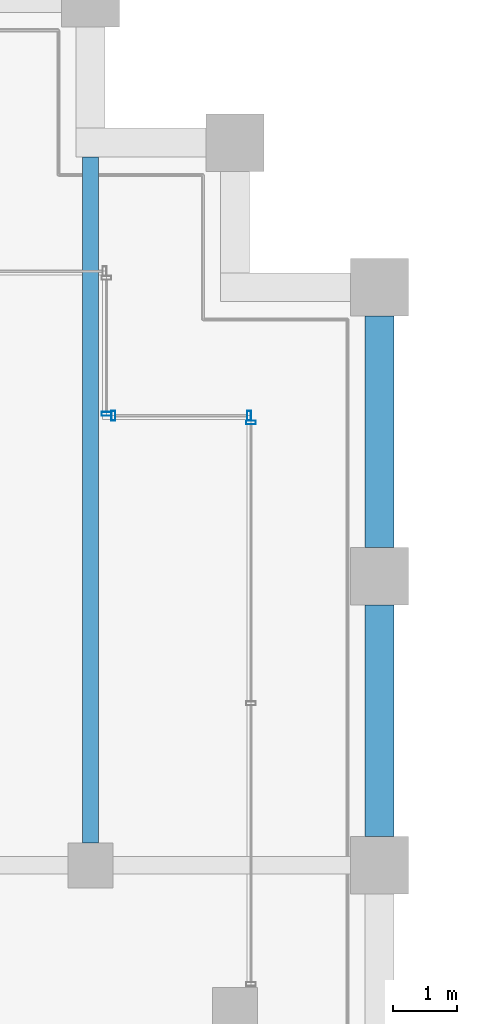
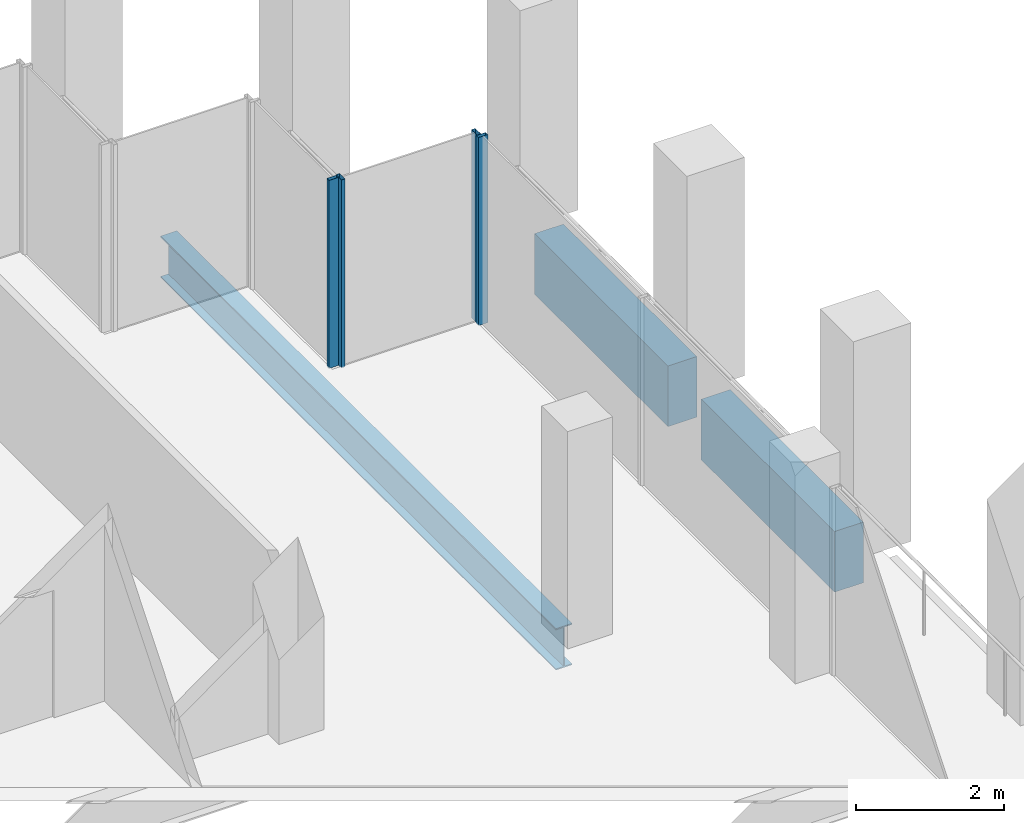
# One storey, part 25 of 40: 4 members, 3 beams, 3 elements without a shape of their own.
"""IFC4 building model written with IfcOpenShell, lengths in metres."""

from ifc_helpers import new_model, si_unit, direction, frame, origin, origin_2d, place, context, subcontext, project, spatial, rectangle, hollow_rectangle, i_section, extrude, material, material_profile, profile_set, type_object, element, aggregate, save


model = new_model("IFC4")

# Units and contexts
model_context = context("Model", 3, precision=1e-05, world=origin(), true_north=direction((0.0, 1.0)))
body_context = subcontext(model_context, "Body", "Model", "MODEL_VIEW")
ifc_project = project(units=[si_unit("LENGTHUNIT", "METRE"), si_unit("AREAUNIT", "SQUARE_METRE"), si_unit("VOLUMEUNIT", "CUBIC_METRE"), si_unit("PLANEANGLEUNIT", "RADIAN"), si_unit("MASSUNIT", "GRAM", prefix="KILO")], contexts=[model_context])

# Site, building, storey
site_placement = place(None, origin())
site = spatial("IfcSite", under=ifc_project, at=site_placement, CompositionType="ELEMENT")
building_placement = place(site_placement, origin())
building = spatial("IfcBuilding", under=site, at=building_placement, Name="Altepetl Exchange Towers", CompositionType="ELEMENT")
storey_placement = place(building_placement, frame((0.0, 0.0, 187.0)))
storey = spatial("IfcBuildingStorey", under=building, at=storey_placement, Name="L47", CompositionType="ELEMENT", Elevation=187.0)

# Beam
ifc_material_1 = material(Name="Steel S355", Category="steel")
ifc_material_profile_1 = material_profile(ifc_material_1, i_section(OverallWidth=0.25390625, OverallDepth=0.68408203125, WebThickness=0.012451171875, FlangeThickness=0.018798828125, at=origin_2d()), Name="W27X94")
ifc_profile_set_1 = profile_set([ifc_material_profile_1], Name="Steel S355")
beam_type_1 = type_object("IfcBeamType", Name="Floor beam W27X94", PredefinedType="BEAM", material=ifc_profile_set_1)
beam_placement = place(storey_placement, frame((67.5, 58.85009765625, -0.491943359375), z_axis=(0.0, 1.0, 0.0), x_axis=(-1.0, 0.0, 0.0)))
element("IfcBeam", 1, at=beam_placement, inside=storey, type_object=beam_type_1, Name="bm:A:L47:005", PredefinedType="BEAM", context=body_context, shape_type="SweptSolid", body=[
    extrude(i_section(OverallWidth=0.25390625, OverallDepth=0.68408203125, WebThickness=0.012451171875, FlangeThickness=0.018798828125, at=origin_2d()), origin(), (0.0, 0.0, 1.0), 10.6748046875),
])

# Curtain wall, member
ifc_material_2 = material(Name="Aluminium 6063-T6 glazing", Category="aluminium")
curtain_wall_type = type_object("IfcCurtainWallType", Name="Loggia glazing system", PredefinedType="NOTDEFINED", material=ifc_material_2)
curtain_wall_1_placement = place(storey_placement, origin())
curtain_wall_1 = element("IfcCurtainWall", 2, at=curtain_wall_1_placement, inside=storey, type_object=curtain_wall_type, Name="CW1 run", PredefinedType="NOTDEFINED")
ifc_material_3 = material(Name="Aluminium 6063-T6", Category="aluminium")
ifc_material_profile_2 = material_profile(ifc_material_3, hollow_rectangle(XDim=0.06005859375, YDim=0.14990234375, WallThickness=0.0029296875, at=origin_2d()), Name="Mullion 60x150 aluminium")
ifc_profile_set_2 = profile_set([ifc_material_profile_2], Name="Aluminium 6063-T6")
member_type = type_object("IfcMemberType", Name="Mullion 60x150 aluminium", PredefinedType="MULLION", material=ifc_profile_set_2)
member_1_placement = place(storey_placement, frame((70.0, 65.39501953125, 0.0), z_axis=(0.0, 0.0, 1.0), x_axis=(0.0, 1.0, 0.0)))
member_1 = element("IfcMember", 3, at=member_1_placement, type_object=member_type, Name="MU1 mullion", PredefinedType="MULLION", context=body_context, shape_type="SweptSolid", body=[
    extrude(hollow_rectangle(XDim=0.06005859375, YDim=0.14990234375, WallThickness=0.0029296875, at=origin_2d()), origin(), (0.0, 0.0, 1.0), 3.10009765625),
])
aggregate(curtain_wall_1, [member_1])

# Curtain wall, members
curtain_wall_2_placement = place(storey_placement, origin())
curtain_wall_2 = element("IfcCurtainWall", 4, at=curtain_wall_2_placement, inside=storey, type_object=curtain_wall_type, Name="CW1 run", PredefinedType="NOTDEFINED")
member_2_placement = place(storey_placement, frame((69.969970703125, 65.5, 0.0), z_axis=(0.0, 0.0, 1.0), x_axis=(-1.0, 0.0, 0.0)))
member_2 = element("IfcMember", 5, at=member_2_placement, type_object=member_type, Name="MU1 mullion", PredefinedType="MULLION", context=body_context, shape_type="SweptSolid", body=[
    extrude(hollow_rectangle(XDim=0.06005859375, YDim=0.14990234375, WallThickness=0.0029296875, at=origin_2d()), origin(), (0.0, 0.0, 1.0), 3.10009765625),
])
member_3_placement = place(storey_placement, frame((67.85498046875, 65.5, 0.0), z_axis=(0.0, 0.0, 1.0), x_axis=(-1.0, 0.0, 0.0)))
member_3 = element("IfcMember", 6, at=member_3_placement, type_object=member_type, Name="MU1 mullion", PredefinedType="MULLION", context=body_context, shape_type="SweptSolid", body=[
    extrude(hollow_rectangle(XDim=0.06005859375, YDim=0.14990234375, WallThickness=0.0029296875, at=origin_2d()), origin(), (0.0, 0.0, 1.0), 3.10009765625),
])
aggregate(curtain_wall_2, [member_2, member_3])

# Curtain wall, member
curtain_wall_3_placement = place(storey_placement, origin())
curtain_wall_3 = element("IfcCurtainWall", 7, at=curtain_wall_3_placement, inside=storey, type_object=curtain_wall_type, Name="CW1 run", PredefinedType="NOTDEFINED")
member_4_placement = place(storey_placement, frame((67.75, 65.530029296875, 0.0), z_axis=(0.0, 0.0, 1.0), x_axis=(0.0, 1.0, 0.0)))
member_4 = element("IfcMember", 8, at=member_4_placement, type_object=member_type, Name="MU1 mullion", PredefinedType="MULLION", context=body_context, shape_type="SweptSolid", body=[
    extrude(hollow_rectangle(XDim=0.06005859375, YDim=0.14990234375, WallThickness=0.0029296875, at=origin_2d()), origin(), (0.0, 0.0, 1.0), 3.10009765625),
])
aggregate(curtain_wall_3, [member_4])

# Beams
ifc_material_4 = material(Name="Concrete C50/60 precast with cantera rosa facing", Category="concrete")
ifc_material_profile_3 = material_profile(ifc_material_4, rectangle(XDim=0.449951171875, YDim=1.0, at=origin_2d()), Name="450 x 1000")
ifc_profile_set_3 = profile_set([ifc_material_profile_3], Name="Concrete C50/60 precast with cantera rosa facing")
beam_type_2 = type_object("IfcBeamType", Name="Spandrel beam 450x1000 cantera rosa", PredefinedType="SPANDREL", material=ifc_profile_set_3)
for number, where, z_axis, x_axis, name in (
    (9, (72.0, 58.949951171875, -0.64990234375), (0.0, 1.0, 0.0), (-1.0, 0.0, 0.0), "sp:A:L47:018"),
    (10, (72.0, 63.449951171875, -0.64990234375), (0.0, 1.0, 0.0), (-1.0, 0.0, 0.0), "sp:A:L47:019"),
):
    element("IfcBeam", number, at=place(storey_placement, frame(where, z_axis=z_axis, x_axis=x_axis)), inside=storey, type_object=beam_type_2, Name=name, PredefinedType="SPANDREL", context=body_context, shape_type="SweptSolid", body=[
        extrude(rectangle(XDim=0.449951171875, YDim=1.0, at=origin_2d()), origin(), (0.0, 0.0, 1.0), 3.60009765625),
    ])

save(model, "model.ifc")
